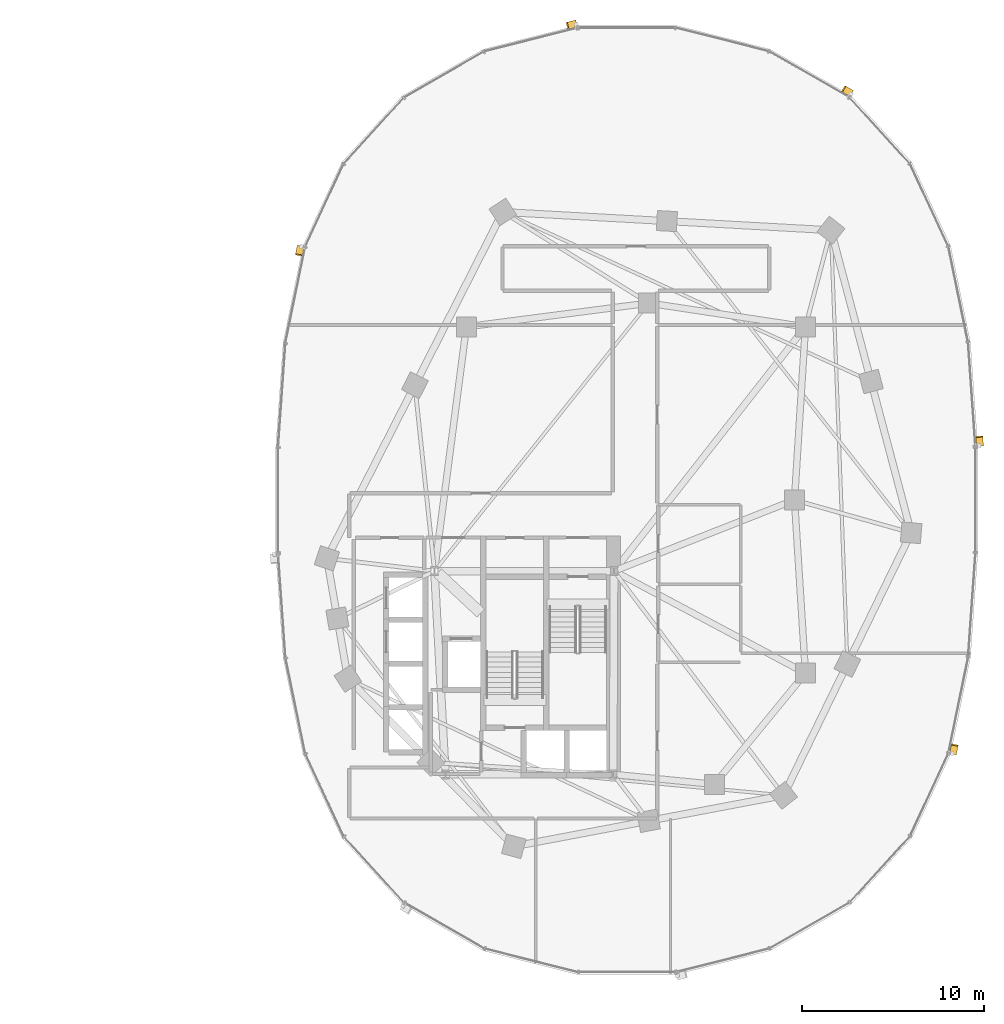
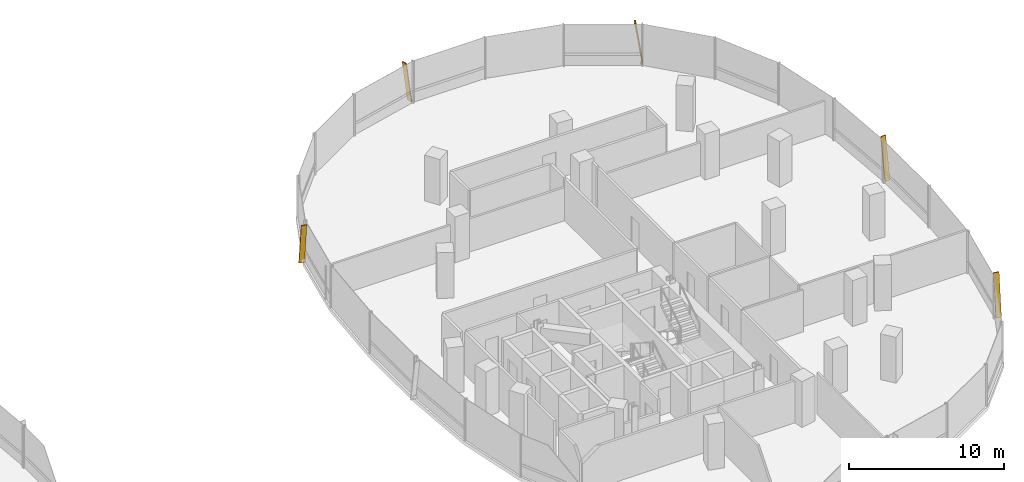
# One storey, part 21 of 21: 5 shading devices.
"""IFC4 building model written with IfcOpenShell, lengths in metres."""

from ifc_helpers import new_model, si_unit, direction, frame, origin, origin_2d, place, context, subcontext, project, spatial, rectangle, extrude, material, material_profile, profile_set, type_object, element, save


model = new_model("IFC4")

# Units and contexts
model_context = context("Model", 3, precision=1e-05, world=origin(), true_north=direction((0.0, 1.0)))
body_context = subcontext(model_context, "Body", "Model", "MODEL_VIEW")
ifc_project = project(units=[si_unit("LENGTHUNIT", "METRE"), si_unit("AREAUNIT", "SQUARE_METRE"), si_unit("VOLUMEUNIT", "CUBIC_METRE"), si_unit("PLANEANGLEUNIT", "RADIAN"), si_unit("MASSUNIT", "GRAM", prefix="KILO"), si_unit("THERMODYNAMICTEMPERATUREUNIT", "KELVIN"), si_unit("POWERUNIT", "WATT")], contexts=[model_context])

# Site, building, storey
site_placement = place(None, origin())
site = spatial("IfcSite", under=ifc_project, at=site_placement, CompositionType="ELEMENT")
building_placement = place(site_placement, origin())
building = spatial("IfcBuilding", under=site, at=building_placement, Name="Cundina Bronze Exchange", CompositionType="ELEMENT")
storey_placement = place(building_placement, frame((0.0, 0.0, 110.60009765625)))
storey = spatial("IfcBuildingStorey", under=building, at=storey_placement, Name="L28", CompositionType="ELEMENT", Elevation=110.60009765625)

# Shading devices
ifc_material = material(Name="Anodised Bronze Aluminium 6063-T6", Category="aluminium")
ifc_material_profile = material_profile(ifc_material, rectangle(XDim=0.070068359375, YDim=0.3798828125, at=origin_2d()), Name="FIN70X380", Category="aluminium")
ifc_profile_set = profile_set([ifc_material_profile], Name="Anodised Bronze Aluminium 6063-T6")
shading_device_type = type_object("IfcShadingDeviceType", Name="SHD-FIN-BRZ380", PredefinedType="USERDEFINED", material=ifc_profile_set)
for number, where, z_axis, x_axis, name in (
    (1, (51.3740234375, 2.993896484375, 0.02001953125), (-0.01022529535, 0.145302928853, 0.989334373304), (0.069449940286, -0.986893716667, 0.145662273078), "L28 Diagonal Bronze Solar Fin 1"),
    (2, (44.314208984375, 22.314208984375, 0.02001953125), (-0.126333952546, 0.072540140494, 0.989331926328), (0.857956914638, -0.492633325179, 0.145678891912), "L28 Diagonal Bronze Solar Fin 5"),
    (3, (29.212646484375, 26.138427734375, 0.02001953125), (-0.141227399308, -0.035714379048, 0.989332757374), (0.959138992792, 0.242552463025, 0.145673248011), "L28 Diagonal Bronze Solar Fin 1"),
    (4, (14.10400390625, 13.911865234375, 0.02001953125), (-0.029416044726, -0.142708569627, 0.98932752942), (0.199727902789, 0.968957029654, 0.14570874899), "L28 Diagonal Bronze Solar Fin 5"),
    (5, (49.89599609375, -13.911865234375, 0.02001953125), (0.029416044726, 0.142708569627, 0.98932752942), (-0.199727902789, -0.968957029654, 0.14570874899), "L28 Diagonal Bronze Solar Fin 5"),
):
    element("IfcShadingDevice", number, at=place(storey_placement, frame(where, z_axis=z_axis, x_axis=x_axis)), inside=storey, type_object=shading_device_type, Name=name, ObjectType="FIN", PredefinedType="USERDEFINED", context=body_context, shape_type="SweptSolid", body=[
        extrude(rectangle(XDim=0.070068359375, YDim=0.3798828125, at=origin_2d()), origin(), (0.0, 0.0, 1.0), 3.294921875),
    ])

save(model, "model.ifc")
